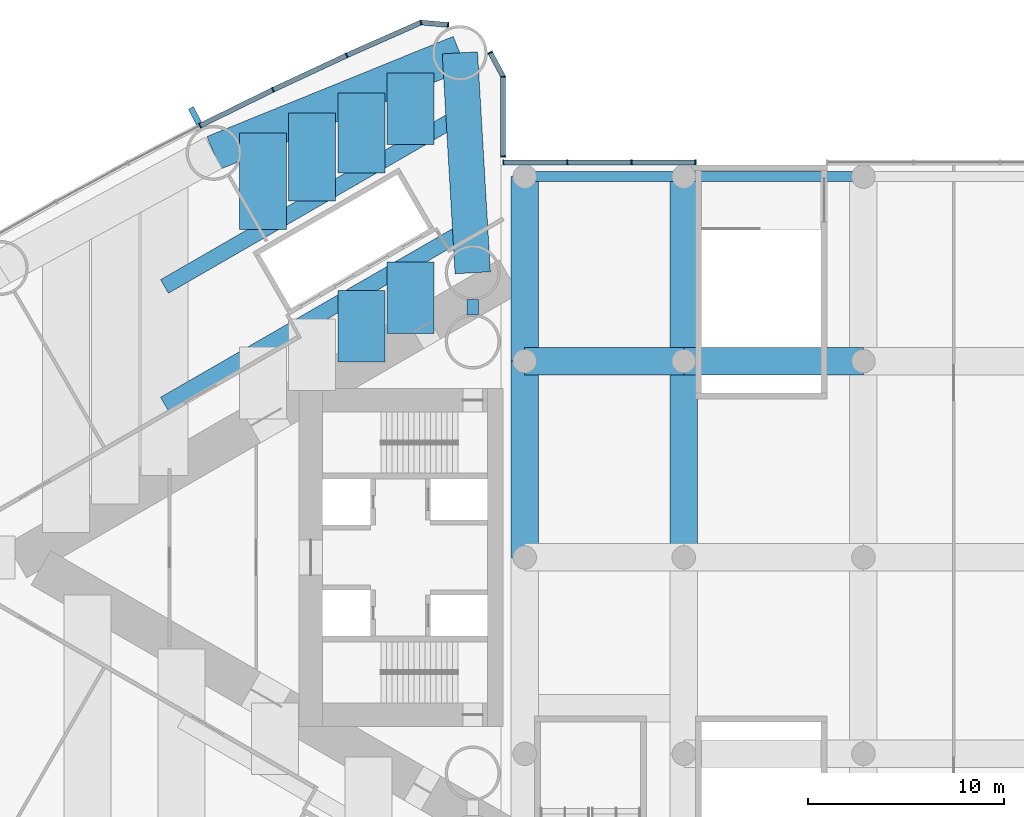
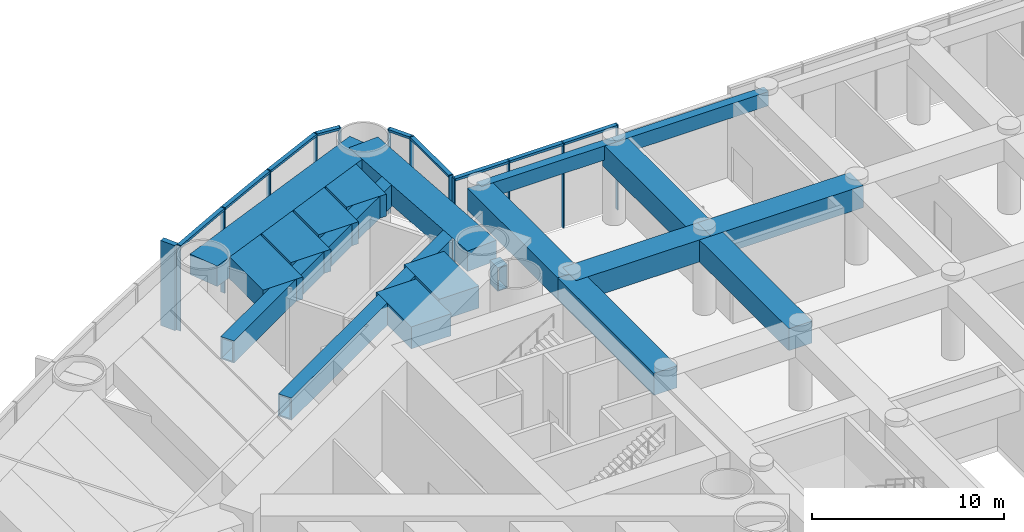
# One storey, part 5 of 20: 22 members, 19 beams, 3 elements without a shape of their own.
"""IFC4 building model written with IfcOpenShell, lengths in metres."""

from ifc_helpers import new_model, si_unit, direction, frame, origin, origin_2d, place, context, subcontext, project, spatial, rectangle, hollow_rectangle, extrude, material, material_profile, profile_set, type_object, element, aggregate, save


model = new_model("IFC4")

# Units and contexts
model_context = context("Model", 3, precision=1e-05, world=origin(), true_north=direction((0.0, 1.0)))
body_context = subcontext(model_context, "Body", "Model", "MODEL_VIEW")
ifc_project = project(units=[si_unit("LENGTHUNIT", "METRE"), si_unit("AREAUNIT", "SQUARE_METRE"), si_unit("VOLUMEUNIT", "CUBIC_METRE"), si_unit("PLANEANGLEUNIT", "RADIAN"), si_unit("MASSUNIT", "GRAM", prefix="KILO")], contexts=[model_context])

# Site, building, storey
site_placement = place(None, origin())
site = spatial("IfcSite", under=ifc_project, at=site_placement, CompositionType="ELEMENT")
building_placement = place(site_placement, origin())
building = spatial("IfcBuilding", under=site, at=building_placement, Name="Lancet Gate Hotel", CompositionType="ELEMENT")
storey_placement = place(building_placement, frame((0.0, 0.0, 7.199951171875)))
storey = spatial("IfcBuildingStorey", under=building, at=storey_placement, Name="L01", CompositionType="ELEMENT", Elevation=7.199951171875)

# Curtain wall, members
ifc_material_1 = material(Name="Aluminium curtain wall", Category="aluminium")
curtain_wall_type = type_object("IfcCurtainWallType", Name="Podium curtain wall", PredefinedType="USERDEFINED", material=ifc_material_1)
curtain_wall_1_placement = place(storey_placement, origin())
curtain_wall_1 = element("IfcCurtainWall", 1, at=curtain_wall_1_placement, inside=storey, type_object=curtain_wall_type, Name="T1 L01 curtain wall 1", ObjectType="UNITISED CURTAIN WALL", PredefinedType="USERDEFINED")
ifc_material_2 = material(Name="Aluminium mullion", Category="aluminium")
ifc_material_profile_1 = material_profile(ifc_material_2, rectangle(XDim=0.06494140625, YDim=0.25, at=origin_2d()), Name="MULLION 65x250")
ifc_profile_set_1 = profile_set([ifc_material_profile_1], Name="Aluminium mullion")
member_type_1 = type_object("IfcMemberType", Name="Aluminium mullion 65x250", PredefinedType="MULLION", material=ifc_profile_set_1)
member_1_placement = place(storey_placement, frame((-27.5, 20.41845703125, 0.0), z_axis=(0.0, 0.0, 1.0), x_axis=(0.0, 1.0, 0.0)))
member_1 = element("IfcMember", 2, at=member_1_placement, type_object=member_type_1, Name="T1 L01 curtain wall 1 mullion 1", PredefinedType="MULLION", context=body_context, shape_type="SweptSolid", body=[
    extrude(rectangle(XDim=0.06494140625, YDim=0.25, at=origin_2d()), origin(), (0.0, 0.0, 1.0), 5.400146484375),
])
member_2_placement = place(storey_placement, frame((-27.5, 24.4912109375, 0.0), z_axis=(0.0, 0.0, 1.0), x_axis=(-0.123482502544, 0.992346749662, 0.0)))
member_2 = element("IfcMember", 3, at=member_2_placement, type_object=member_type_1, Name="T1 L01 curtain wall 1 mullion 2", PredefinedType="MULLION", context=body_context, shape_type="SweptSolid", body=[
    extrude(rectangle(XDim=0.06494140625, YDim=0.25, at=origin_2d()), origin(), (0.0, 0.0, 1.0), 5.400146484375),
])
member_3_placement = place(storey_placement, frame((-28.158935546875, 25.712890625, 0.0), z_axis=(0.0, 0.0, 1.0), x_axis=(-0.474631040972, 0.880184852714, 0.0)))
member_3 = element("IfcMember", 4, at=member_3_placement, type_object=member_type_1, Name="T1 L01 curtain wall 1 mullion 3", PredefinedType="MULLION", context=body_context, shape_type="SweptSolid", body=[
    extrude(rectangle(XDim=0.06494140625, YDim=0.25, at=origin_2d()), origin(), (0.0, 0.0, 1.0), 5.400146484375),
])

curtain_wall_2_placement = place(storey_placement, origin())
curtain_wall_2 = element("IfcCurtainWall", 5, at=curtain_wall_2_placement, inside=storey, type_object=curtain_wall_type, Name="T1 L01 curtain wall 2", ObjectType="UNITISED CURTAIN WALL", PredefinedType="USERDEFINED")
member_4_placement = place(storey_placement, frame((-30.3046875, 27.124755859375, 0.0), z_axis=(0.0, 0.0, 1.0), x_axis=(-0.99620380374, 0.087051602022, 0.0)))
member_4 = element("IfcMember", 6, at=member_4_placement, type_object=member_type_1, Name="T1 L01 curtain wall 2 mullion 1", PredefinedType="MULLION", context=body_context, shape_type="SweptSolid", body=[
    extrude(rectangle(XDim=0.06494140625, YDim=0.25, at=origin_2d()), origin(), (0.0, 0.0, 1.0), 5.400146484375),
])
member_5_placement = place(storey_placement, frame((-31.688720703125, 27.24560546875, 0.0), z_axis=(0.0, 0.0, 1.0), x_axis=(-0.957524354695, -0.288352406209, 0.0)))
member_5 = element("IfcMember", 7, at=member_5_placement, type_object=member_type_1, Name="T1 L01 curtain wall 2 mullion 2", PredefinedType="MULLION", context=body_context, shape_type="SweptSolid", body=[
    extrude(rectangle(XDim=0.06494140625, YDim=0.25, at=origin_2d()), origin(), (0.0, 0.0, 1.0), 5.400146484375),
])
member_6_placement = place(storey_placement, frame((-35.473876953125, 25.568115234375, 0.0), z_axis=(0.0, 0.0, 1.0), x_axis=(-0.910219680212, -0.414125746308, 0.0)))
member_6 = element("IfcMember", 8, at=member_6_placement, type_object=member_type_1, Name="T1 L01 curtain wall 2 mullion 3", PredefinedType="MULLION", context=body_context, shape_type="SweptSolid", body=[
    extrude(rectangle(XDim=0.06494140625, YDim=0.25, at=origin_2d()), origin(), (0.0, 0.0, 1.0), 5.400146484375),
])
member_7_placement = place(storey_placement, frame((-39.225341796875, 23.816650390625, 0.0), z_axis=(0.0, 0.0, 1.0), x_axis=(-0.901928838337, -0.431884672772, 0.0)))
member_7 = element("IfcMember", 9, at=member_7_placement, type_object=member_type_1, Name="T1 L01 curtain wall 2 mullion 4", PredefinedType="MULLION", context=body_context, shape_type="SweptSolid", body=[
    extrude(rectangle(XDim=0.06494140625, YDim=0.25, at=origin_2d()), origin(), (0.0, 0.0, 1.0), 5.400146484375),
])
member_8_placement = place(storey_placement, frame((-42.94189453125, 21.991943359375, 0.0), z_axis=(0.0, 0.0, 1.0), x_axis=(-0.893291549794, -0.449477704748, 0.0)))
member_8 = element("IfcMember", 10, at=member_8_placement, type_object=member_type_1, Name="T1 L01 curtain wall 2 mullion 5", PredefinedType="MULLION", context=body_context, shape_type="SweptSolid", body=[
    extrude(rectangle(XDim=0.06494140625, YDim=0.25, at=origin_2d()), origin(), (0.0, 0.0, 1.0), 5.400146484375),
])

curtain_wall_3_placement = place(storey_placement, origin())
curtain_wall_3 = element("IfcCurtainWall", 11, at=curtain_wall_3_placement, inside=storey, type_object=curtain_wall_type, Name="Podium L01 curtain wall N1", ObjectType="UNITISED CURTAIN WALL", PredefinedType="USERDEFINED")
member_9_placement = place(storey_placement, frame((-17.699951171875, 20.1201171875, 0.0), z_axis=(0.0, 0.0, 1.0), x_axis=(-1.0, 0.0, 0.0)))
member_9 = element("IfcMember", 12, at=member_9_placement, type_object=member_type_1, Name="Podium L01 curtain wall N1 mullion 1", PredefinedType="MULLION", context=body_context, shape_type="SweptSolid", body=[
    extrude(rectangle(XDim=0.06494140625, YDim=0.25, at=origin_2d()), origin(), (0.0, 0.0, 1.0), 5.400146484375),
])
member_10_placement = place(storey_placement, frame((-20.966552734375, 20.1201171875, 0.0), z_axis=(0.0, 0.0, 1.0), x_axis=(-1.0, 0.0, 0.0)))
member_10 = element("IfcMember", 13, at=member_10_placement, type_object=member_type_1, Name="Podium L01 curtain wall N1 mullion 2", PredefinedType="MULLION", context=body_context, shape_type="SweptSolid", body=[
    extrude(rectangle(XDim=0.06494140625, YDim=0.25, at=origin_2d()), origin(), (0.0, 0.0, 1.0), 5.400146484375),
])
member_11_placement = place(storey_placement, frame((-24.2333984375, 20.1201171875, 0.0), z_axis=(0.0, 0.0, 1.0), x_axis=(-1.0, 0.0, 0.0)))
member_11 = element("IfcMember", 14, at=member_11_placement, type_object=member_type_1, Name="Podium L01 curtain wall N1 mullion 3", PredefinedType="MULLION", context=body_context, shape_type="SweptSolid", body=[
    extrude(rectangle(XDim=0.06494140625, YDim=0.25, at=origin_2d()), origin(), (0.0, 0.0, 1.0), 5.400146484375),
])
member_12_placement = place(storey_placement, frame((-27.5, 20.1201171875, 0.0), z_axis=(0.0, 0.0, 1.0), x_axis=(-1.0, 0.0, 0.0)))
member_12 = element("IfcMember", 15, at=member_12_placement, type_object=member_type_1, Name="Podium L01 curtain wall N1 mullion 4", PredefinedType="MULLION", context=body_context, shape_type="SweptSolid", body=[
    extrude(rectangle(XDim=0.06494140625, YDim=0.25, at=origin_2d()), origin(), (0.0, 0.0, 1.0), 5.400146484375),
])

# Member
ifc_material_3 = material(Name="Aluminium transom", Category="aluminium")
ifc_material_profile_2 = material_profile(ifc_material_3, rectangle(XDim=0.25, YDim=0.14990234375, at=origin_2d()), Name="TRANSOM 250x150")
ifc_profile_set_2 = profile_set([ifc_material_profile_2], Name="Aluminium transom")
member_type_2 = type_object("IfcMemberType", Name="Aluminium transom 250x150", PredefinedType="USERDEFINED", material=ifc_profile_set_2)
member_13_placement = place(storey_placement, frame((-27.5, 20.450927734375, 5.324951171875), z_axis=(0.0, 1.0, 0.0), x_axis=(-1.0, 0.0, 0.0)))
member_13 = element("IfcMember", 16, at=member_13_placement, type_object=member_type_2, Name="T1 L01 curtain wall 1 transom 1", ObjectType="TRANSOM", PredefinedType="USERDEFINED", context=body_context, shape_type="SweptSolid", body=[
    extrude(rectangle(XDim=0.25, YDim=0.14990234375, at=origin_2d()), origin(), (0.0, 0.0, 1.0), 4.0078125),
])

member_14_placement = place(storey_placement, frame((-27.515380859375, 24.519775390625, 5.324951171875), z_axis=(-0.474605926905, 0.880198394765, 0.0), x_axis=(-0.880198394765, -0.474605926905, 0.0)))
member_14 = element("IfcMember", 17, at=member_14_placement, type_object=member_type_2, Name="T1 L01 curtain wall 1 transom 2", ObjectType="TRANSOM", PredefinedType="USERDEFINED", context=body_context, shape_type="SweptSolid", body=[
    extrude(rectangle(XDim=0.25, YDim=0.14990234375, at=origin_2d()), origin(), (0.0, 0.0, 1.0), 1.322998046875),
])

aggregate(curtain_wall_1, [member_1, member_2, member_3, member_13, member_14])

member_15_placement = place(storey_placement, frame((-30.337158203125, 27.127685546875, 5.324951171875), z_axis=(-0.99620591587, 0.087027427779, 0.0), x_axis=(-0.087027427779, -0.99620591587, 0.0)))
member_15 = element("IfcMember", 18, at=member_15_placement, type_object=member_type_2, Name="T1 L01 curtain wall 2 transom 1", ObjectType="TRANSOM", PredefinedType="USERDEFINED", context=body_context, shape_type="SweptSolid", body=[
    extrude(rectangle(XDim=0.25, YDim=0.14990234375, at=origin_2d()), origin(), (0.0, 0.0, 1.0), 1.32421875),
])

member_16_placement = place(storey_placement, frame((-31.71826171875, 27.232421875, 5.324951171875), z_axis=(-0.914248281954, -0.405154389022, 0.0), x_axis=(0.405154389022, -0.914248281954, 0.0)))
member_16 = element("IfcMember", 19, at=member_16_placement, type_object=member_type_2, Name="T1 L01 curtain wall 2 transom 2", ObjectType="TRANSOM", PredefinedType="USERDEFINED", context=body_context, shape_type="SweptSolid", body=[
    extrude(rectangle(XDim=0.25, YDim=0.14990234375, at=origin_2d()), origin(), (0.0, 0.0, 1.0), 4.0751953125),
])

member_17_placement = place(storey_placement, frame((-35.503173828125, 25.554443359375, 5.324951171875), z_axis=(-0.906109667261, -0.423042871228, 0.0), x_axis=(0.423042871228, -0.906109667261, 0.0)))
member_17 = element("IfcMember", 20, at=member_17_placement, type_object=member_type_2, Name="T1 L01 curtain wall 2 transom 3", ObjectType="TRANSOM", PredefinedType="USERDEFINED", context=body_context, shape_type="SweptSolid", body=[
    extrude(rectangle(XDim=0.25, YDim=0.14990234375, at=origin_2d()), origin(), (0.0, 0.0, 1.0), 4.075439453125),
])

member_18_placement = place(storey_placement, frame((-39.254638671875, 23.80224609375, 5.324951171875), z_axis=(-0.897662439958, -0.440683723194, 0.0), x_axis=(0.440683723194, -0.897662439958, 0.0)))
member_18 = element("IfcMember", 21, at=member_18_placement, type_object=member_type_2, Name="T1 L01 curtain wall 2 transom 4", ObjectType="TRANSOM", PredefinedType="USERDEFINED", context=body_context, shape_type="SweptSolid", body=[
    extrude(rectangle(XDim=0.25, YDim=0.14990234375, at=origin_2d()), origin(), (0.0, 0.0, 1.0), 4.0751953125),
])

member_19_placement = place(storey_placement, frame((-17.732421875, 20.1201171875, 5.324951171875), z_axis=(-1.0, 0.0, 0.0), x_axis=(0.0, -1.0, 0.0)))
member_19 = element("IfcMember", 22, at=member_19_placement, type_object=member_type_2, Name="Podium L01 curtain wall N1 transom 1", ObjectType="TRANSOM", PredefinedType="USERDEFINED", context=body_context, shape_type="SweptSolid", body=[
    extrude(rectangle(XDim=0.25, YDim=0.14990234375, at=origin_2d()), origin(), (0.0, 0.0, 1.0), 3.20166015625),
])

member_20_placement = place(storey_placement, frame((-20.999267578125, 20.1201171875, 5.324951171875), z_axis=(-1.0, 0.0, 0.0), x_axis=(0.0, -1.0, 0.0)))
member_20 = element("IfcMember", 23, at=member_20_placement, type_object=member_type_2, Name="Podium L01 curtain wall N1 transom 2", ObjectType="TRANSOM", PredefinedType="USERDEFINED", context=body_context, shape_type="SweptSolid", body=[
    extrude(rectangle(XDim=0.25, YDim=0.14990234375, at=origin_2d()), origin(), (0.0, 0.0, 1.0), 3.20166015625),
])

member_21_placement = place(storey_placement, frame((-24.265869140625, 20.1201171875, 5.324951171875), z_axis=(-1.0, 0.0, 0.0), x_axis=(0.0, -1.0, 0.0)))
member_21 = element("IfcMember", 24, at=member_21_placement, type_object=member_type_2, Name="Podium L01 curtain wall N1 transom 3", ObjectType="TRANSOM", PredefinedType="USERDEFINED", context=body_context, shape_type="SweptSolid", body=[
    extrude(rectangle(XDim=0.25, YDim=0.14990234375, at=origin_2d()), origin(), (0.0, 0.0, 1.0), 3.20166015625),
])

aggregate(curtain_wall_3, [member_9, member_10, member_11, member_12, member_19, member_20, member_21])

# Beams
ifc_material_4 = material(Name="Concrete C50/60", Category="concrete")
ifc_material_profile_3 = material_profile(ifc_material_4, rectangle(XDim=1.800048828125, YDim=1.300048828125, at=origin_2d()), Name="RC 1800x1300")
ifc_profile_set_3 = profile_set([ifc_material_profile_3], Name="Concrete C50/60")
beam_type_1 = type_object("IfcBeamType", Name="Edge beam RC 1800x1300", PredefinedType="SPANDREL", material=ifc_profile_set_3)
beam_1_placement = place(storey_placement, frame((-29.703369140625, 25.70263671875, 4.400146484375), z_axis=(-0.926463236197, -0.376385270667, 0.0), x_axis=(0.376385270667, -0.926463236197, 0.0)))
element("IfcBeam", 25, at=beam_1_placement, inside=storey, type_object=beam_type_1, Name="T1 edge beam EB1 L01", PredefinedType="SPANDREL", context=body_context, shape_type="SweptSolid", body=[
    extrude(rectangle(XDim=1.800048828125, YDim=1.300048828125, at=origin_2d()), origin(), (0.0, 0.0, 1.0), 13.537353515625),
])
beam_2_placement = place(storey_placement, frame((-29.703369140625, 25.70263671875, 4.400146484375), z_axis=(0.058219521912, -0.998303805096, 0.0), x_axis=(0.998303805096, 0.058219521912, 0.0)))
element("IfcBeam", 26, at=beam_2_placement, inside=storey, type_object=beam_type_1, Name="T1 edge beam EB1 L01", PredefinedType="SPANDREL", context=body_context, shape_type="SweptSolid", body=[
    extrude(rectangle(XDim=1.800048828125, YDim=1.300048828125, at=origin_2d()), origin(), (0.0, 0.0, 1.0), 11.2216796875),
])

# Member
ifc_material_5 = material(Name="Precast concrete C50/60", Category="concrete")
ifc_material_profile_4 = material_profile(ifc_material_5, rectangle(XDim=0.300048828125, YDim=0.89990234375, at=origin_2d()), Name="FIN 300x900")
ifc_profile_set_4 = profile_set([ifc_material_profile_4], Name="Precast concrete C50/60")
member_type_3 = type_object("IfcMemberType", Name="Exposed concrete fin 300x900", PredefinedType="USERDEFINED", material=ifc_profile_set_4)
member_22_placement = place(storey_placement, frame((-43.200439453125, 22.505615234375, 0.0), z_axis=(0.0, 0.0, 1.0), x_axis=(-0.893291549794, -0.449477704748, 0.0)))
member_22 = element("IfcMember", 27, at=member_22_placement, type_object=member_type_3, Name="T1 L01 curtain wall 2 fin 5", ObjectType="FIN", PredefinedType="USERDEFINED", context=body_context, shape_type="SweptSolid", body=[
    extrude(rectangle(XDim=0.300048828125, YDim=0.89990234375, at=origin_2d()), origin(), (0.0, 0.0, 1.0), 5.400146484375),
])

aggregate(curtain_wall_2, [member_4, member_5, member_6, member_7, member_8, member_22, member_15, member_16, member_17, member_18])

# Beams
ifc_material_6 = material(Name="Concrete C50/60", Category="concrete")
ifc_material_profile_5 = material_profile(ifc_material_6, rectangle(XDim=2.39990234375, YDim=1.39990234375, at=origin_2d()), Name="RC 2400x1400")
ifc_profile_set_5 = profile_set([ifc_material_profile_5], Name="Concrete C50/60")
beam_type_2 = type_object("IfcBeamType", Name="Floor beam RC 2400x1400", PredefinedType="BEAM", material=ifc_profile_set_5)
beam_3_placement = place(storey_placement, frame((-32.213623046875, 24.682861328125, 4.35009765625), z_axis=(0.0, -1.0, 0.0), x_axis=(1.0, 0.0, 0.0)))
element("IfcBeam", 28, at=beam_3_placement, inside=storey, type_object=beam_type_2, Name="T1 floor beam F02SA L01", PredefinedType="BEAM", context=body_context, shape_type="SweptSolid", body=[
    extrude(rectangle(XDim=2.39990234375, YDim=1.39990234375, at=origin_2d()), origin(), (0.0, 0.0, 1.0), 3.643798828125),
])
beam_4_placement = place(storey_placement, frame((-32.213623046875, 15.051025390625, 4.35009765625), z_axis=(0.0, -1.0, 0.0), x_axis=(1.0, 0.0, 0.0)))
element("IfcBeam", 29, at=beam_4_placement, inside=storey, type_object=beam_type_2, Name="T1 floor beam F02SB L01", PredefinedType="BEAM", context=body_context, shape_type="SweptSolid", body=[
    extrude(rectangle(XDim=2.39990234375, YDim=1.39990234375, at=origin_2d()), origin(), (0.0, 0.0, 1.0), 3.645751953125),
])
beam_5_placement = place(storey_placement, frame((-34.720458984375, 23.664306640625, 4.35009765625), z_axis=(0.0, -1.0, 0.0), x_axis=(1.0, 0.0, 0.0)))
element("IfcBeam", 30, at=beam_5_placement, inside=storey, type_object=beam_type_2, Name="T1 floor beam F04SA L01", PredefinedType="BEAM", context=body_context, shape_type="SweptSolid", body=[
    extrude(rectangle(XDim=2.39990234375, YDim=1.39990234375, at=origin_2d()), origin(), (0.0, 0.0, 1.0), 4.07275390625),
])
beam_6_placement = place(storey_placement, frame((-34.720458984375, 13.603759765625, 4.35009765625), z_axis=(0.0, -1.0, 0.0), x_axis=(1.0, 0.0, 0.0)))
element("IfcBeam", 31, at=beam_6_placement, inside=storey, type_object=beam_type_2, Name="T1 floor beam F04SB L01", PredefinedType="BEAM", context=body_context, shape_type="SweptSolid", body=[
    extrude(rectangle(XDim=2.39990234375, YDim=1.39990234375, at=origin_2d()), origin(), (0.0, 0.0, 1.0), 3.645751953125),
])
beam_7_placement = place(storey_placement, frame((-37.227294921875, 22.64599609375, 4.35009765625), z_axis=(0.0, -1.0, 0.0), x_axis=(1.0, 0.0, 0.0)))
element("IfcBeam", 32, at=beam_7_placement, inside=storey, type_object=beam_type_2, Name="T1 floor beam F05SA L01", PredefinedType="BEAM", context=body_context, shape_type="SweptSolid", body=[
    extrude(rectangle(XDim=2.39990234375, YDim=1.39990234375, at=origin_2d()), origin(), (0.0, 0.0, 1.0), 4.501953125),
])
beam_8_placement = place(storey_placement, frame((-39.734130859375, 21.627685546875, 4.35009765625), z_axis=(0.0, -1.0, 0.0), x_axis=(1.0, 0.0, 0.0)))
element("IfcBeam", 33, at=beam_8_placement, inside=storey, type_object=beam_type_2, Name="T1 floor beam F07SA L01", PredefinedType="BEAM", context=body_context, shape_type="SweptSolid", body=[
    extrude(rectangle(XDim=2.39990234375, YDim=1.39990234375, at=origin_2d()), origin(), (0.0, 0.0, 1.0), 4.93115234375),
])
ifc_material_7 = material(Name="Steel S460QL", Category="steel")
ifc_material_profile_6 = material_profile(ifc_material_7, hollow_rectangle(XDim=0.60009765625, YDim=1.5, WallThickness=0.050048828125, at=origin_2d()), Name="BOX 1500x600x50")
ifc_profile_set_6 = profile_set([ifc_material_profile_6], Name="Steel S460QL")
beam_type_3 = type_object("IfcBeamType", Name="Inner-face link beam BOX 1500x600x50", PredefinedType="BEAM", material=ifc_profile_set_6)
beam_9_placement = place(storey_placement, frame((-29.050048828125, 13.14990234375, 4.300048828125), z_axis=(0.0, -1.0, 0.0), x_axis=(1.0, 0.0, 0.0)))
element("IfcBeam", 34, at=beam_9_placement, inside=storey, type_object=beam_type_3, Name="T1 inner-face link beam LK1 L01", PredefinedType="BEAM", context=body_context, shape_type="SweptSolid", body=[
    extrude(hollow_rectangle(XDim=0.60009765625, YDim=1.5, WallThickness=0.050048828125, at=origin_2d()), origin(), (0.0, 0.0, 1.0), 0.7998046875),
])
ifc_material_8 = material(Name="Concrete C50/60", Category="concrete")
ifc_material_profile_7 = material_profile(ifc_material_8, rectangle(XDim=1.39990234375, YDim=1.39990234375, at=origin_2d()), Name="RC 1400x1400")
ifc_profile_set_7 = profile_set([ifc_material_profile_7], Name="Concrete C50/60")
beam_type_4 = type_object("IfcBeamType", Name="Podium beam RC 1400x1400", PredefinedType="BEAM", material=ifc_profile_set_7)
beam_10_placement = place(storey_placement, frame((-26.39990234375, 10.0, 4.35009765625), z_axis=(1.0, 0.0, 0.0), x_axis=(0.0, 1.0, 0.0)))
element("IfcBeam", 35, at=beam_10_placement, inside=storey, type_object=beam_type_4, Name="Podium beam D/1-2 L01", PredefinedType="BEAM", context=body_context, shape_type="SweptSolid", body=[
    extrude(rectangle(XDim=1.39990234375, YDim=1.39990234375, at=origin_2d()), origin(), (0.0, 0.0, 1.0), 8.099853515625),
])
beam_11_placement = place(storey_placement, frame((-18.300048828125, 10.0, 4.35009765625), z_axis=(1.0, 0.0, 0.0), x_axis=(0.0, 1.0, 0.0)))
element("IfcBeam", 36, at=beam_11_placement, inside=storey, type_object=beam_type_4, Name="Podium beam D/2-3 L01", PredefinedType="BEAM", context=body_context, shape_type="SweptSolid", body=[
    extrude(rectangle(XDim=1.39990234375, YDim=1.39990234375, at=origin_2d()), origin(), (0.0, 0.0, 1.0), 9.150146484375),
])
beam_12_placement = place(storey_placement, frame((-26.39990234375, 0.0, 4.35009765625), z_axis=(0.0, 1.0, 0.0), x_axis=(-1.0, 0.0, 0.0)))
element("IfcBeam", 37, at=beam_12_placement, inside=storey, type_object=beam_type_4, Name="Podium beam 1/C-D L01", PredefinedType="BEAM", context=body_context, shape_type="SweptSolid", body=[
    extrude(rectangle(XDim=1.39990234375, YDim=1.39990234375, at=origin_2d()), origin(), (0.0, 0.0, 1.0), 10.0),
])
beam_13_placement = place(storey_placement, frame((-26.39990234375, 10.0, 4.35009765625), z_axis=(0.0, 1.0, 0.0), x_axis=(-1.0, 0.0, 0.0)))
element("IfcBeam", 38, at=beam_13_placement, inside=storey, type_object=beam_type_4, Name="Podium beam 1/D-E L01", PredefinedType="BEAM", context=body_context, shape_type="SweptSolid", body=[
    extrude(rectangle(XDim=1.39990234375, YDim=1.39990234375, at=origin_2d()), origin(), (0.0, 0.0, 1.0), 9.39990234375),
])
beam_14_placement = place(storey_placement, frame((-18.300048828125, 0.0, 4.35009765625), z_axis=(0.0, 1.0, 0.0), x_axis=(-1.0, 0.0, 0.0)))
element("IfcBeam", 39, at=beam_14_placement, inside=storey, type_object=beam_type_4, Name="Podium beam 2/C-D L01", PredefinedType="BEAM", context=body_context, shape_type="SweptSolid", body=[
    extrude(rectangle(XDim=1.39990234375, YDim=1.39990234375, at=origin_2d()), origin(), (0.0, 0.0, 1.0), 10.0),
])
beam_15_placement = place(storey_placement, frame((-18.300048828125, 10.0, 4.35009765625), z_axis=(0.0, 1.0, 0.0), x_axis=(-1.0, 0.0, 0.0)))
element("IfcBeam", 40, at=beam_15_placement, inside=storey, type_object=beam_type_4, Name="Podium beam 2/D-E L01", PredefinedType="BEAM", context=body_context, shape_type="SweptSolid", body=[
    extrude(rectangle(XDim=1.39990234375, YDim=1.39990234375, at=origin_2d()), origin(), (0.0, 0.0, 1.0), 9.39990234375),
])
ifc_material_9 = material(Name="Concrete C50/60", Category="concrete")
ifc_material_profile_8 = material_profile(ifc_material_9, rectangle(XDim=0.5, YDim=0.89990234375, at=origin_2d()), Name="RC 500x900")
ifc_profile_set_8 = profile_set([ifc_material_profile_8], Name="Concrete C50/60")
beam_type_5 = type_object("IfcBeamType", Name="Podium edge beam RC 500x900", PredefinedType="BEAM", material=ifc_profile_set_8)
beam_16_placement = place(storey_placement, frame((-26.39990234375, 19.39990234375, 4.60009765625), z_axis=(1.0, 0.0, 0.0), x_axis=(0.0, 1.0, 0.0)))
element("IfcBeam", 41, at=beam_16_placement, inside=storey, type_object=beam_type_5, Name="Podium beam E/1-2 L01", PredefinedType="BEAM", context=body_context, shape_type="SweptSolid", body=[
    extrude(rectangle(XDim=0.5, YDim=0.89990234375, at=origin_2d()), origin(), (0.0, 0.0, 1.0), 8.099853515625),
])
beam_17_placement = place(storey_placement, frame((-18.300048828125, 19.39990234375, 4.60009765625), z_axis=(1.0, 0.0, 0.0), x_axis=(0.0, 1.0, 0.0)))
element("IfcBeam", 42, at=beam_17_placement, inside=storey, type_object=beam_type_5, Name="Podium beam E/2-3 L01", PredefinedType="BEAM", context=body_context, shape_type="SweptSolid", body=[
    extrude(rectangle(XDim=0.5, YDim=0.89990234375, at=origin_2d()), origin(), (0.0, 0.0, 1.0), 9.150146484375),
])
ifc_material_10 = material(Name="Steel S460QL", Category="steel")
ifc_material_profile_9 = material_profile(ifc_material_10, hollow_rectangle(XDim=0.800048828125, YDim=1.39990234375, WallThickness=0.080078125, at=origin_2d()), Name="BOX 1400x800x80")
ifc_profile_set_9 = profile_set([ifc_material_profile_9], Name="Steel S460QL")
beam_type_6 = type_object("IfcBeamType", Name="Trimmer beam BOX 1400x800x80", PredefinedType="BEAM", material=ifc_profile_set_9)
beam_18_placement = place(storey_placement, frame((-29.18408203125, 16.800537109375, 4.35009765625), z_axis=(-0.865998945969, -0.500045823481, 0.0), x_axis=(0.500045823481, -0.865998945969, 0.0)))
element("IfcBeam", 43, at=beam_18_placement, inside=storey, type_object=beam_type_6, Name="T1 trimmer beam TR01S L01", PredefinedType="BEAM", context=body_context, shape_type="SweptSolid", body=[
    extrude(hollow_rectangle(XDim=0.800048828125, YDim=1.39990234375, WallThickness=0.080078125, at=origin_2d()), origin(), (0.0, 0.0, 1.0), 17.971923828125),
])
beam_19_placement = place(storey_placement, frame((-29.52197265625, 22.59326171875, 4.35009765625), z_axis=(-0.866004054636, -0.500036975987, 0.0), x_axis=(0.500036975987, -0.866004054636, 0.0)))
element("IfcBeam", 44, at=beam_19_placement, inside=storey, type_object=beam_type_6, Name="T1 trimmer beam TR02S L01", PredefinedType="BEAM", context=body_context, shape_type="SweptSolid", body=[
    extrude(hollow_rectangle(XDim=0.800048828125, YDim=1.39990234375, WallThickness=0.080078125, at=origin_2d()), origin(), (0.0, 0.0, 1.0), 17.581787109375),
])

save(model, "model.ifc")
